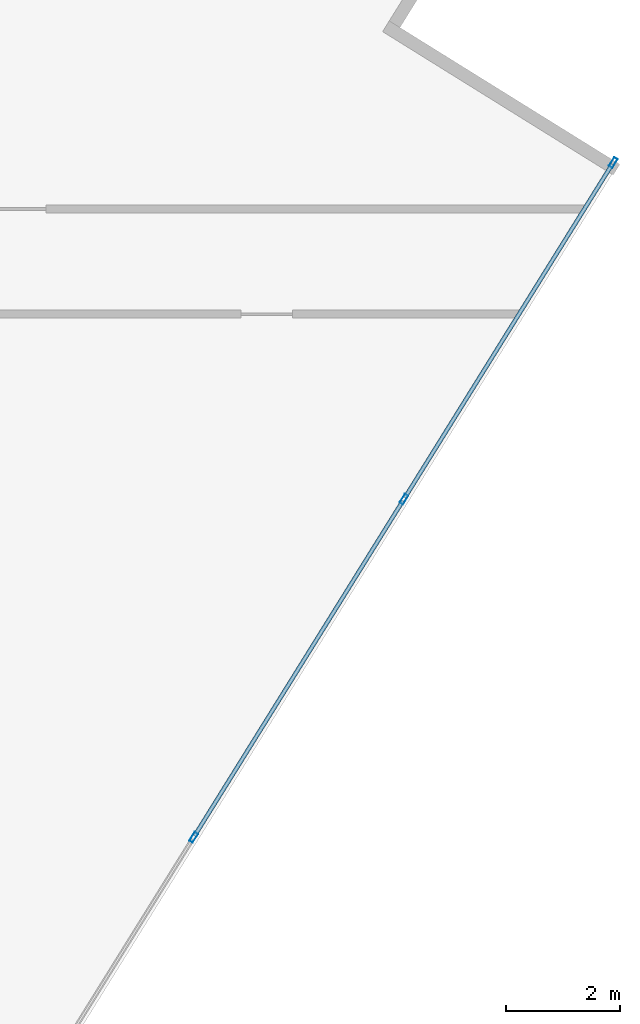
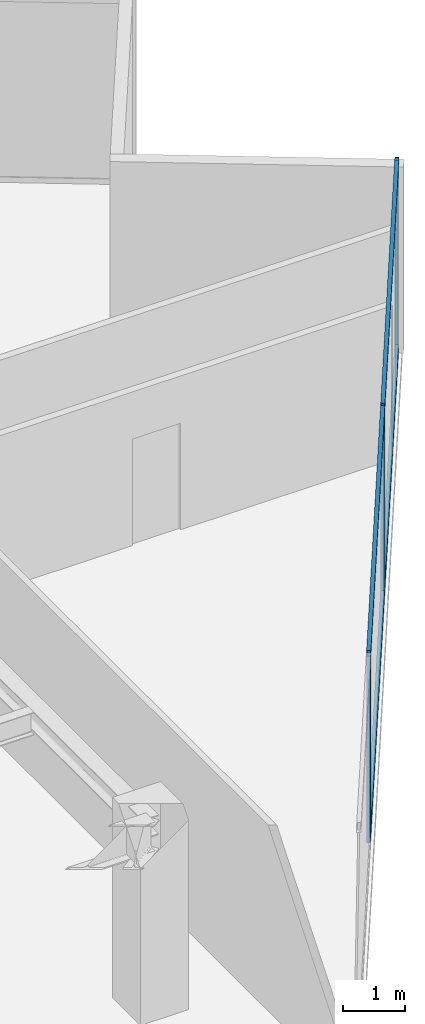
# One storey, part 11 of 25: 7 members, 1 element without a shape of its own.
"""IFC4 building model written with IfcOpenShell, lengths in metres."""

import ifcopenshell
import ifcopenshell.guid

model = None  # the IFC model being written
_history = None  # IfcOwnerHistory: only IFC2X3 demands one
_inside = {}  # id of a spatial element -> (the spatial element, [elements in it])
_under = {}  # id of a project, library or spatial element -> (it, [spatial elements below it])
_declared = {}  # id of a project -> (the project, [libraries it declares])
_typed = {}  # id of a type object -> (the type object, [elements of that type])
_made_of = {}  # id of a material, layer set ... -> (it, [elements and type objects made of it])


def new_model(schema):
    """Start an empty IFC model of exactly this schema.

    Asked for "IFC4X3", IfcOpenShell would pick the latest addendum, in which some entities
    have other attributes; the version numbers below select the first issue.
    IFC2X3 requires an IfcOwnerHistory on every rooted entity: one is made here for all.
    """
    global model, _history
    if schema == "IFC4X3":
        model = ifcopenshell.file(schema_version=(4, 3, 0, 0))
    else:
        model = ifcopenshell.file(schema=schema)
    _inside.clear()
    _under.clear()
    _declared.clear()
    _typed.clear()
    _made_of.clear()
    _history = None
    if model.schema == "IFC2X3":
        org = make("IfcOrganization", Name="unknown")
        user = make(
            "IfcPersonAndOrganization",
            ThePerson=make("IfcPerson", FamilyName="unknown"),
            TheOrganization=org,
        )
        app = make(
            "IfcApplication",
            ApplicationDeveloper=org,
            Version="unknown",
            ApplicationFullName="unknown",
            ApplicationIdentifier="unknown",
        )
        _history = make(
            "IfcOwnerHistory",
            OwningUser=user,
            OwningApplication=app,
            ChangeAction="ADDED",
            CreationDate=0,
        )
    return model


def make(cls, **values):
    """One entity of the class cls with the attributes given. An attribute that is None is left unset."""
    return model.create_entity(
        cls, **{name: value for name, value in values.items() if value is not None}
    )


def rooted(cls, **values):
    """An entity with a GlobalId (a new one), such as an element, a storey or a relation."""
    return make(cls, GlobalId=ifcopenshell.guid.new(), OwnerHistory=_history, **values)


def si_unit(unit_type, name, prefix=None):
    """IfcSIUnit, for example si_unit("LENGTHUNIT", "METRE", prefix="MILLI")."""
    return make("IfcSIUnit", UnitType=unit_type, Prefix=prefix, Name=name)


def assignment(units):
    """IfcUnitAssignment: the units of a project."""
    return None if units is None else make("IfcUnitAssignment", Units=units)


def point(xyz):
    """IfcCartesianPoint."""
    return None if xyz is None else make("IfcCartesianPoint", Coordinates=xyz)


def direction(xyz):
    """IfcDirection."""
    return None if xyz is None else make("IfcDirection", DirectionRatios=xyz)


def frame(location, z_axis=None, x_axis=None):
    """IfcAxis2Placement3D, a coordinate frame: its origin and axes. An axis left out is left unset."""
    return make(
        "IfcAxis2Placement3D",
        Location=point(location),
        Axis=direction(z_axis),
        RefDirection=direction(x_axis),
    )


def frame_2d(location, x_axis=None):
    """IfcAxis2Placement2D, a coordinate frame in the plane: its origin and x axis."""
    return make(
        "IfcAxis2Placement2D", Location=point(location), RefDirection=direction(x_axis)
    )


def origin():
    """The frame at (0, 0, 0) with its axes left unset."""
    return frame((0.0, 0.0, 0.0))


def origin_2d():
    """The frame at (0, 0) in the plane with its x axis left unset."""
    return frame_2d((0.0, 0.0))


def place(relative_to, where):
    """IfcLocalPlacement: puts the frame where relative to a parent placement (None: the world)."""
    return make(
        "IfcLocalPlacement", PlacementRelTo=relative_to, RelativePlacement=where
    )


def context(
    kind, dimensions, precision=None, world=None, true_north=None, identifier=None
):
    """IfcGeometricRepresentationContext, for example the 3D "Model" context."""
    return make(
        "IfcGeometricRepresentationContext",
        ContextIdentifier=identifier,
        ContextType=kind,
        CoordinateSpaceDimension=dimensions,
        Precision=precision,
        WorldCoordinateSystem=world,
        TrueNorth=true_north,
    )


def subcontext(parent, identifier, kind, view, scale=None):
    """IfcGeometricRepresentationSubContext, for example "Body" below "Model"."""
    return make(
        "IfcGeometricRepresentationSubContext",
        ContextIdentifier=identifier,
        ContextType=kind,
        ParentContext=parent,
        TargetScale=scale,
        TargetView=view,
    )


def project(units=None, contexts=None):
    """IfcProject with its units and contexts."""
    return rooted(
        "IfcProject",
        Name="project",
        RepresentationContexts=contexts,
        UnitsInContext=assignment(units),
    )


def spatial(cls, under=None, at=None, **own):
    """A site, building, storey or space (cls), placed at a placement, below another one or the project."""
    s = rooted(cls, ObjectPlacement=at, **own)
    if under is not None:
        _under.setdefault(under.id(), (under, []))[1].append(s)
    return s


def profile(cls, at=None, kind="AREA", **sizes):
    """A parametric profile (cls). Its sizes go by their IFC names, for example OverallWidth=200.0."""
    return make(cls, ProfileType=kind, Position=at, **sizes)


def hollow_rectangle(**sizes):
    """IfcRectangleHollowProfileDef."""
    return profile("IfcRectangleHollowProfileDef", **sizes)


def extrude(swept, where, along, depth):
    """IfcExtrudedAreaSolid: the profile swept, set in the frame where, extruded along a direction by depth."""
    return make(
        "IfcExtrudedAreaSolid",
        SweptArea=swept,
        Position=where,
        ExtrudedDirection=direction(along),
        Depth=depth,
    )


def shape(context_of_items, identifier, shape_type, items):
    """IfcShapeRepresentation: the items that make up one representation, for example the "Body"."""
    return make(
        "IfcShapeRepresentation",
        ContextOfItems=context_of_items,
        RepresentationIdentifier=identifier,
        RepresentationType=shape_type,
        Items=items,
    )


def source(mapping_origin, context_of_items, identifier, shape_type, items):
    """IfcRepresentationMap: a shape defined once, which mapped items show again and again."""
    return make(
        "IfcRepresentationMap",
        MappingOrigin=mapping_origin,
        MappedRepresentation=shape(context_of_items, identifier, shape_type, items),
    )


def transform(
    local_origin,
    x_axis=None,
    y_axis=None,
    z_axis=None,
    scale=None,
    scale2=None,
    scale3=None,
    uniform=True,
):
    """IfcCartesianTransformationOperator3D, or its non-uniform kind. x_axis, y_axis, z_axis: its Axis1, 2, 3."""
    if uniform:
        return make(
            "IfcCartesianTransformationOperator3D",
            Axis1=direction(x_axis),
            Axis2=direction(y_axis),
            LocalOrigin=point(local_origin),
            Scale=scale,
            Axis3=direction(z_axis),
        )
    return make(
        "IfcCartesianTransformationOperator3DnonUniform",
        Axis1=direction(x_axis),
        Axis2=direction(y_axis),
        LocalOrigin=point(local_origin),
        Scale=scale,
        Axis3=direction(z_axis),
        Scale2=scale2,
        Scale3=scale3,
    )


def mapped(mapping_source, mapping_target):
    """IfcMappedItem: shows the shape of a source again, moved by a transform."""
    return make(
        "IfcMappedItem", MappingSource=mapping_source, MappingTarget=mapping_target
    )


def material(Name=None, Category=None):
    """IfcMaterial."""
    return make("IfcMaterial", Name=Name, Category=Category)


def material_profile(
    of_material, cross_section, Name=None, Category=None, Priority=None
):
    """IfcMaterialProfile: a cross section and its material."""
    return make(
        "IfcMaterialProfile",
        Name=Name,
        Material=of_material,
        Profile=cross_section,
        Priority=Priority,
        Category=Category,
    )


def profile_set(profiles, Name=None, composite=None):
    """IfcMaterialProfileSet."""
    return make(
        "IfcMaterialProfileSet",
        Name=Name,
        MaterialProfiles=profiles,
        CompositeProfile=composite,
    )


def made_of(thing, what):
    """Note that an element or type object is made of a material, layer set ...; save() writes the relation."""
    if what is not None:
        _made_of.setdefault(what.id(), (what, []))[1].append(thing)
    return thing


def type_object(cls, material=None, **own):
    """A type object (cls), such as IfcWallType, which elements share."""
    return made_of(rooted(cls, **own), material)


def type_shapes(of_type, sources):
    """Give a type object the sources (RepresentationMaps) that its elements show as mapped items."""
    of_type.RepresentationMaps = sources


def element(
    cls,
    number,
    at=None,
    inside=None,
    cuts=None,
    type_object=None,
    material=None,
    context=None,
    identifier="Body",
    shape_type=None,
    held_by="IfcProductDefinitionShape",
    body=None,
    shapes=None,
    **own,
):
    """One element of the class cls, such as IfcWall. Its Tag is "e" and its number.

    at: its placement. inside: the storey or other place that contains it. cuts: it is an
    opening in that element (IfcRelVoidsElement). A single representation is given by context,
    identifier, shape_type and body (its items); several are given by shapes. held_by: the class
    of the entity that holds the representations. save() writes the other relations.
    """
    e = rooted(cls, Tag="e%d" % number, ObjectPlacement=at, **own)
    if body is not None:
        shapes = [shape(context, identifier, shape_type, body)]
    if shapes is not None:
        e.Representation = make(held_by, Representations=shapes)
    if inside is not None:
        _inside.setdefault(inside.id(), (inside, []))[1].append(e)
    if cuts is not None:
        rooted(
            "IfcRelVoidsElement", RelatingBuildingElement=cuts, RelatedOpeningElement=e
        )
    if type_object is not None:
        _typed.setdefault(type_object.id(), (type_object, []))[1].append(e)
    return made_of(e, material)


def aggregate(whole, parts):
    """IfcRelAggregates: a whole, such as a stair, and the parts it consists of."""
    return rooted("IfcRelAggregates", RelatingObject=whole, RelatedObjects=parts)


def save(model, path):
    """Write the relations noted so far, then the file.

    IfcRelAggregates (storeys below a building ...), IfcRelContainedInSpatialStructure (elements
    in a storey), IfcRelDefinesByType, IfcRelAssociatesMaterial and IfcRelDeclares: one each for
    every whole, place, type object, material and project.
    """
    for whole, parts in _under.values():
        aggregate(whole, parts)
    for where, things in _inside.values():
        rooted(
            "IfcRelContainedInSpatialStructure",
            RelatedElements=things,
            RelatingStructure=where,
        )
    for kind, things in _typed.values():
        rooted("IfcRelDefinesByType", RelatedObjects=things, RelatingType=kind)
    for what, things in _made_of.values():
        rooted("IfcRelAssociatesMaterial", RelatedObjects=things, RelatingMaterial=what)
    for by, libraries in _declared.values():
        rooted("IfcRelDeclares", RelatingContext=by, RelatedDefinitions=libraries)
    model.write(path)


model = new_model("IFC4")

# Units and contexts
model_context = context("Model", 3, precision=1e-05, world=origin(), true_north=direction((0.0, 1.0)))
body_context = subcontext(model_context, "Body", "Model", "MODEL_VIEW")
ifc_project = project(units=[si_unit("LENGTHUNIT", "METRE"), si_unit("AREAUNIT", "SQUARE_METRE"), si_unit("VOLUMEUNIT", "CUBIC_METRE"), si_unit("PLANEANGLEUNIT", "RADIAN"), si_unit("MASSUNIT", "GRAM", prefix="KILO")], contexts=[model_context])

# Site, building, storey
site_placement = place(None, origin())
site = spatial("IfcSite", under=ifc_project, at=site_placement, CompositionType="ELEMENT")
building_placement = place(site_placement, origin())
building = spatial("IfcBuilding", under=site, at=building_placement, Name="Krantzveldt Concourse Tower", CompositionType="ELEMENT")
storey_placement = place(building_placement, frame((0.0, 0.0, 177.800048828125)))
storey = spatial("IfcBuildingStorey", under=building, at=storey_placement, Name="L43", CompositionType="ELEMENT", Elevation=177.800048828125)

# Curtain wall, members
ifc_material = material(Name="Anodised aluminium 6063-T6", Category="aluminium")
curtain_wall_type = type_object("IfcCurtainWallType", Name="CW3", PredefinedType="USERDEFINED", material=ifc_material)
curtain_wall_placement = place(storey_placement, origin())
curtain_wall = element("IfcCurtainWall", 1, at=curtain_wall_placement, inside=storey, type_object=curtain_wall_type, Name="CW-L43-F07", ObjectType="UNITISED CURTAIN WALL", PredefinedType="USERDEFINED")
ifc_material_profile_1 = material_profile(ifc_material, hollow_rectangle(XDim=0.070068359375, YDim=0.179931640625, WallThickness=0.0048828125, at=origin_2d()), Name="Anodised aluminium 6063-T6", Category="aluminium")
ifc_profile_set_1 = profile_set([ifc_material_profile_1], Name="Anodised aluminium 6063-T6 - ALU-MULL 180x70x5")
member_type_1 = type_object("IfcMemberType", Name="CW-MUL-180", PredefinedType="MULLION", material=ifc_profile_set_1)
shared_shape_1 = source(origin(), body_context, "Body", "SweptSolid", [
    extrude(hollow_rectangle(XDim=0.070068359375, YDim=0.179931640625, WallThickness=0.0048828125, at=origin_2d()), origin(), (0.0, 0.0, 1.0), 3.669921875),
])
type_shapes(member_type_1, [shared_shape_1])
member_1_placement = place(storey_placement, frame((56.35888671875, 18.13818359375, 0.0), z_axis=(0.0, 0.0, 1.0), x_axis=(-0.84920214961, 0.528067901977, 0.0)))
member_1 = element("IfcMember", 2, at=member_1_placement, type_object=member_type_1, Name="CW-Z34 mullion 4", PredefinedType="MULLION", context=body_context, shape_type="MappedRepresentation", body=[
    mapped(shared_shape_1, transform((0.0, 0.0, 0.0), x_axis=(1.0, 0.0, 0.0), y_axis=(0.0, 1.0, 0.0), z_axis=(0.0, 0.0, 1.0), scale=1.0)),
])
member_2_placement = place(storey_placement, frame((60.0341796875, 24.048583984375, 0.0), z_axis=(0.0, 0.0, 1.0), x_axis=(-0.84920214961, 0.528067901977, 0.0)))
member_2 = element("IfcMember", 3, at=member_2_placement, type_object=member_type_1, Name="CW-Z34 mullion 5", PredefinedType="MULLION", context=body_context, shape_type="MappedRepresentation", body=[
    mapped(shared_shape_1, transform((0.0, 0.0, 0.0), x_axis=(1.0, 0.0, 0.0), y_axis=(0.0, 1.0, 0.0), z_axis=(0.0, 0.0, 1.0), scale=1.0)),
])
member_3_placement = place(storey_placement, frame((63.69091796875, 29.92919921875, 0.0), z_axis=(0.0, 0.0, 1.0), x_axis=(-0.84920214961, 0.528067901977, 0.0)))
member_3 = element("IfcMember", 4, at=member_3_placement, type_object=member_type_1, Name="CW-Z34 mullion 6", PredefinedType="MULLION", context=body_context, shape_type="MappedRepresentation", body=[
    mapped(shared_shape_1, transform((0.0, 0.0, 0.0), x_axis=(1.0, 0.0, 0.0), y_axis=(0.0, 1.0, 0.0), z_axis=(0.0, 0.0, 1.0), scale=1.0)),
])
ifc_material_profile_2 = material_profile(ifc_material, hollow_rectangle(XDim=0.070068359375, YDim=0.139892578125, WallThickness=0.0048828125, at=origin_2d()), Name="Anodised aluminium 6063-T6", Category="aluminium")
ifc_profile_set_2 = profile_set([ifc_material_profile_2], Name="Anodised aluminium 6063-T6 - ALU-TRAN 140x70x5")
member_type_2 = type_object("IfcMemberType", Name="CW-TRN-150", PredefinedType="USERDEFINED", material=ifc_profile_set_2)
shared_shape_2 = source(origin(), body_context, "Body", "SweptSolid", [
    extrude(hollow_rectangle(XDim=0.070068359375, YDim=0.139892578125, WallThickness=0.0048828125, at=origin_2d()), origin(), (0.0, 0.0, 1.0), 6.89013671875),
])
member_4_placement = place(storey_placement, frame((56.377197265625, 18.167724609375, 0.034912109375), z_axis=(0.528067429464, 0.849202443437, 0.0), x_axis=(-0.849202443437, 0.528067429464, 0.0)))
member_4 = element("IfcMember", 5, at=member_4_placement, type_object=member_type_2, Name="CW-Z34 transom 4.1", ObjectType="TRANSOM", PredefinedType="USERDEFINED", context=body_context, shape_type="MappedRepresentation", body=[
    mapped(shared_shape_2, transform((0.0, 0.0, 0.0), x_axis=(1.0, 0.0, 0.0), y_axis=(0.0, 1.0, 0.0), z_axis=(0.0, 0.0, 1.0), scale=1.0)),
])
member_5_placement = place(storey_placement, frame((56.377197265625, 18.167724609375, 3.635009765625), z_axis=(0.528067429464, 0.849202443437, 0.0), x_axis=(-0.849202443437, 0.528067429464, 0.0)))
member_5 = element("IfcMember", 6, at=member_5_placement, type_object=member_type_2, Name="CW-Z34 transom 4.2", ObjectType="TRANSOM", PredefinedType="USERDEFINED", context=body_context, shape_type="MappedRepresentation", body=[
    mapped(shared_shape_2, transform((0.0, 0.0, 0.0), x_axis=(1.0, 0.0, 0.0), y_axis=(0.0, 1.0, 0.0), z_axis=(0.0, 0.0, 1.0), scale=1.0)),
])
shared_shape_3 = source(origin(), body_context, "Body", "SweptSolid", [
    extrude(hollow_rectangle(XDim=0.070068359375, YDim=0.139892578125, WallThickness=0.0048828125, at=origin_2d()), origin(), (0.0, 0.0, 1.0), 6.855224609375),
])
type_shapes(member_type_2, [shared_shape_2, shared_shape_3])
member_6_placement = place(storey_placement, frame((60.052490234375, 24.078125, 0.034912109375), z_axis=(0.528089629534, 0.849188638159, 0.0), x_axis=(-0.849188638159, 0.528089629534, 0.0)))
member_6 = element("IfcMember", 7, at=member_6_placement, type_object=member_type_2, Name="CW-Z34 transom 5.1", ObjectType="TRANSOM", PredefinedType="USERDEFINED", context=body_context, shape_type="MappedRepresentation", body=[
    mapped(shared_shape_3, transform((0.0, 0.0, 0.0), x_axis=(1.0, 0.0, 0.0), y_axis=(0.0, 1.0, 0.0), z_axis=(0.0, 0.0, 1.0), scale=1.0)),
])
member_7_placement = place(storey_placement, frame((60.052490234375, 24.078125, 3.635009765625), z_axis=(0.528089629534, 0.849188638159, 0.0), x_axis=(-0.849188638159, 0.528089629534, 0.0)))
member_7 = element("IfcMember", 8, at=member_7_placement, type_object=member_type_2, Name="CW-Z34 transom 5.2", ObjectType="TRANSOM", PredefinedType="USERDEFINED", context=body_context, shape_type="MappedRepresentation", body=[
    mapped(shared_shape_3, transform((0.0, 0.0, 0.0), x_axis=(1.0, 0.0, 0.0), y_axis=(0.0, 1.0, 0.0), z_axis=(0.0, 0.0, 1.0), scale=1.0)),
])
aggregate(curtain_wall, [member_1, member_2, member_3, member_4, member_5, member_6, member_7])

save(model, "model.ifc")
